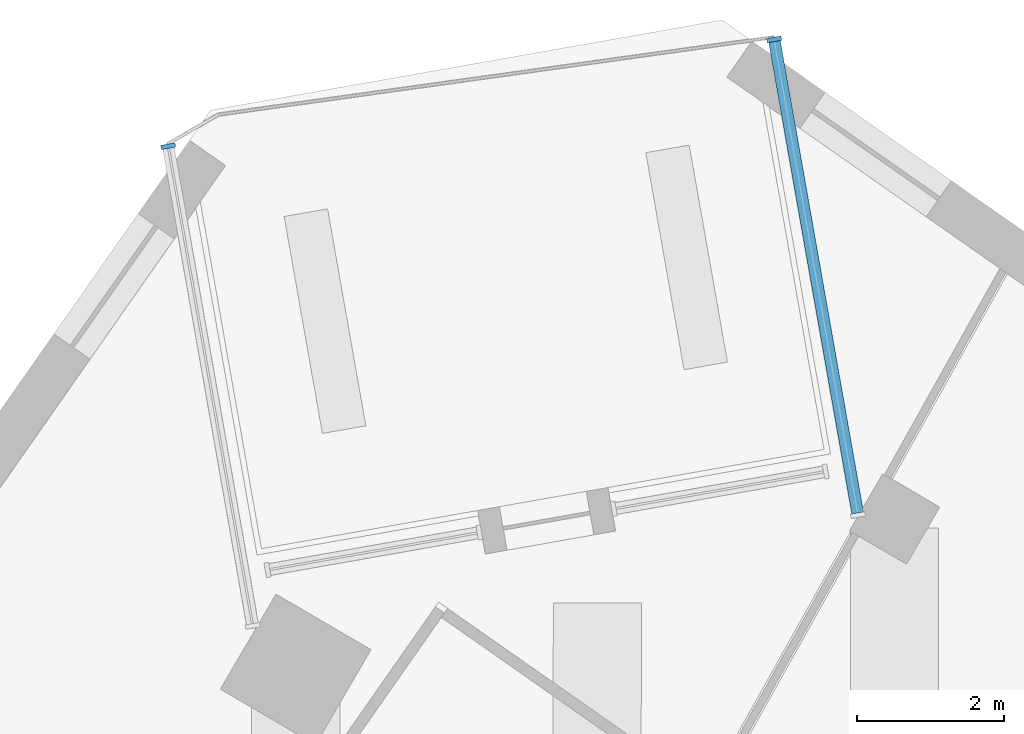
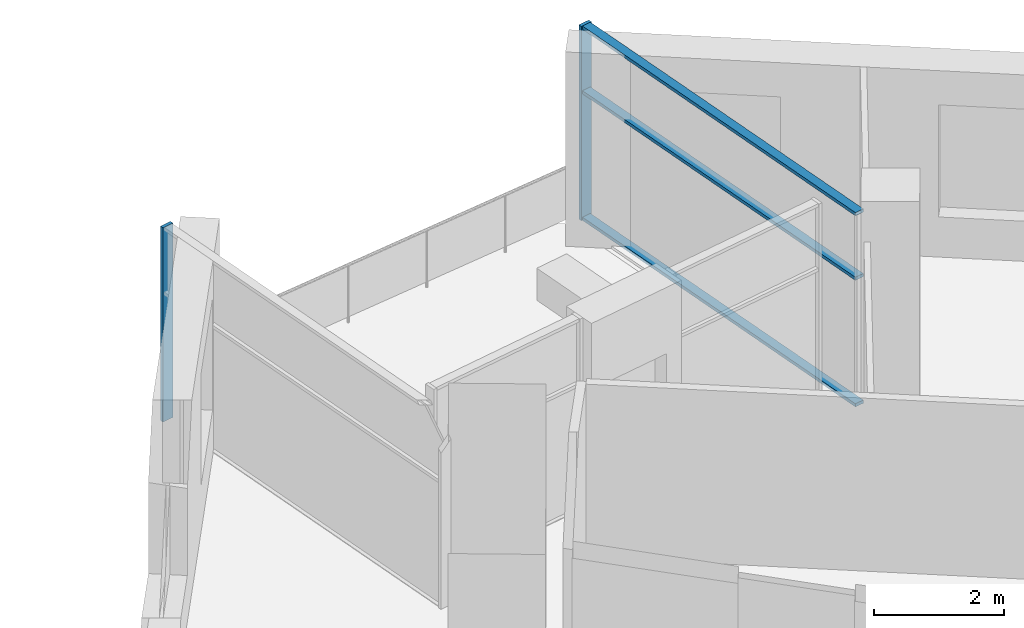
# One storey, part 4 of 13: 5 members, 2 elements without a shape of their own.
"""IFC4 building model written with IfcOpenShell, lengths in metres."""

from ifc_helpers import new_model, si_unit, direction, frame, origin, origin_2d, place, context, subcontext, project, spatial, rectangle, extrude, material, material_profile, profile_set, type_object, element, aggregate, save


model = new_model("IFC4")

# Units and contexts
model_context = context("Model", 3, precision=1e-05, world=origin(), true_north=direction((0.0, 1.0)))
body_context = subcontext(model_context, "Body", "Model", "MODEL_VIEW")
ifc_project = project(units=[si_unit("LENGTHUNIT", "METRE"), si_unit("AREAUNIT", "SQUARE_METRE"), si_unit("VOLUMEUNIT", "CUBIC_METRE"), si_unit("PLANEANGLEUNIT", "RADIAN"), si_unit("MASSUNIT", "GRAM", prefix="KILO")], contexts=[model_context])

# Site, building, storey
site_placement = place(None, origin())
site = spatial("IfcSite", under=ifc_project, at=site_placement, CompositionType="ELEMENT")
building_placement = place(site_placement, origin())
building = spatial("IfcBuilding", under=site, at=building_placement, Name="Dilmun Exchange Tower", CompositionType="ELEMENT")
storey_placement = place(building_placement, frame((0.0, 0.0, 242.89990234375)))
storey = spatial("IfcBuildingStorey", under=building, at=storey_placement, Name="L57", CompositionType="ELEMENT", Elevation=242.89990234375)

# Curtain wall, member
ifc_material_1 = material(Name="Anodised aluminium and clear glass", Category="aluminium")
curtain_wall_type = type_object("IfcCurtainWallType", Name="Garden corner glazing", PredefinedType="NOTDEFINED", material=ifc_material_1)
curtain_wall_1_placement = place(storey_placement, origin())
curtain_wall_1 = element("IfcCurtainWall", 1, at=curtain_wall_1_placement, inside=storey, type_object=curtain_wall_type, Name="Garden corner glazing run GC1.1", PredefinedType="NOTDEFINED")
ifc_material_2 = material(Name="Anodised aluminium", Category="aluminium")
ifc_material_profile_1 = material_profile(ifc_material_2, rectangle(XDim=0.199951171875, YDim=0.06005859375, at=origin_2d()), Name="AL 60x200")
ifc_profile_set_1 = profile_set([ifc_material_profile_1], Name="Anodised aluminium")
member_type_1 = type_object("IfcMemberType", Name="Garden corner glazing mullion 60 x 200", PredefinedType="MULLION", material=ifc_profile_set_1)
member_1_placement = place(storey_placement, frame((2.599365234375, 35.0361328125, 0.0), z_axis=(0.0, 0.0, 1.0), x_axis=(0.984807359836, 0.173650407466, 0.0)))
member_1 = element("IfcMember", 2, at=member_1_placement, type_object=member_type_1, Name="GC1.1 mullion 1", PredefinedType="MULLION", context=body_context, shape_type="SweptSolid", body=[
    extrude(rectangle(XDim=0.199951171875, YDim=0.06005859375, at=origin_2d()), origin(), (0.0, 0.0, 1.0), 3.64013671875),
])

curtain_wall_2_placement = place(storey_placement, origin())
curtain_wall_2 = element("IfcCurtainWall", 3, at=curtain_wall_2_placement, inside=storey, type_object=curtain_wall_type, Name="Garden corner glazing run GC3.1", PredefinedType="NOTDEFINED")
member_2_placement = place(storey_placement, frame((-5.651611328125, 33.581298828125, 0.0), z_axis=(0.0, 0.0, 1.0), x_axis=(-0.984807317735, -0.173650646227, 0.0)))
member_2 = element("IfcMember", 4, at=member_2_placement, type_object=member_type_1, Name="GC3.1 mullion 2", PredefinedType="MULLION", context=body_context, shape_type="SweptSolid", body=[
    extrude(rectangle(XDim=0.199951171875, YDim=0.06005859375, at=origin_2d()), origin(), (0.0, 0.0, 1.0), 3.64013671875),
])
aggregate(curtain_wall_2, [member_2])

# Member
ifc_material_profile_2 = material_profile(ifc_material_2, rectangle(XDim=0.159912109375, YDim=0.06005859375, at=origin_2d()), Name="AL 60x160")
ifc_profile_set_2 = profile_set([ifc_material_profile_2], Name="Anodised aluminium")
member_type_2 = type_object("IfcMemberType", Name="Garden corner glazing transom 60 x 160", PredefinedType="USERDEFINED", material=ifc_profile_set_2)
member_3_placement = place(storey_placement, frame((2.604736328125, 35.006591796875, 0.030029296875), z_axis=(0.173648578108, -0.984807682404, 0.0), x_axis=(0.984807682404, 0.173648578108, 0.0)))
member_3 = element("IfcMember", 5, at=member_3_placement, type_object=member_type_2, Name="GC1.1 transom 1.1", ObjectType="TRANSOM", PredefinedType="USERDEFINED", context=body_context, shape_type="SweptSolid", body=[
    extrude(rectangle(XDim=0.159912109375, YDim=0.06005859375, at=origin_2d()), origin(), (0.0, 0.0, 1.0), 6.51806640625),
])

member_4_placement = place(storey_placement, frame((2.604736328125, 35.006591796875, 2.400146484375), z_axis=(0.173648578108, -0.984807682404, 0.0), x_axis=(0.984807682404, 0.173648578108, 0.0)))
member_4 = element("IfcMember", 6, at=member_4_placement, type_object=member_type_2, Name="GC1.1 transom 1.2", ObjectType="TRANSOM", PredefinedType="USERDEFINED", context=body_context, shape_type="SweptSolid", body=[
    extrude(rectangle(XDim=0.159912109375, YDim=0.06005859375, at=origin_2d()), origin(), (0.0, 0.0, 1.0), 6.51806640625),
])

member_5_placement = place(storey_placement, frame((2.604736328125, 35.006591796875, 3.610107421875), z_axis=(0.173648578108, -0.984807682404, 0.0), x_axis=(0.984807682404, 0.173648578108, 0.0)))
member_5 = element("IfcMember", 7, at=member_5_placement, type_object=member_type_2, Name="GC1.1 transom 1.3", ObjectType="TRANSOM", PredefinedType="USERDEFINED", context=body_context, shape_type="SweptSolid", body=[
    extrude(rectangle(XDim=0.159912109375, YDim=0.06005859375, at=origin_2d()), origin(), (0.0, 0.0, 1.0), 6.51806640625),
])

aggregate(curtain_wall_1, [member_1, member_3, member_4, member_5])

save(model, "model.ifc")
